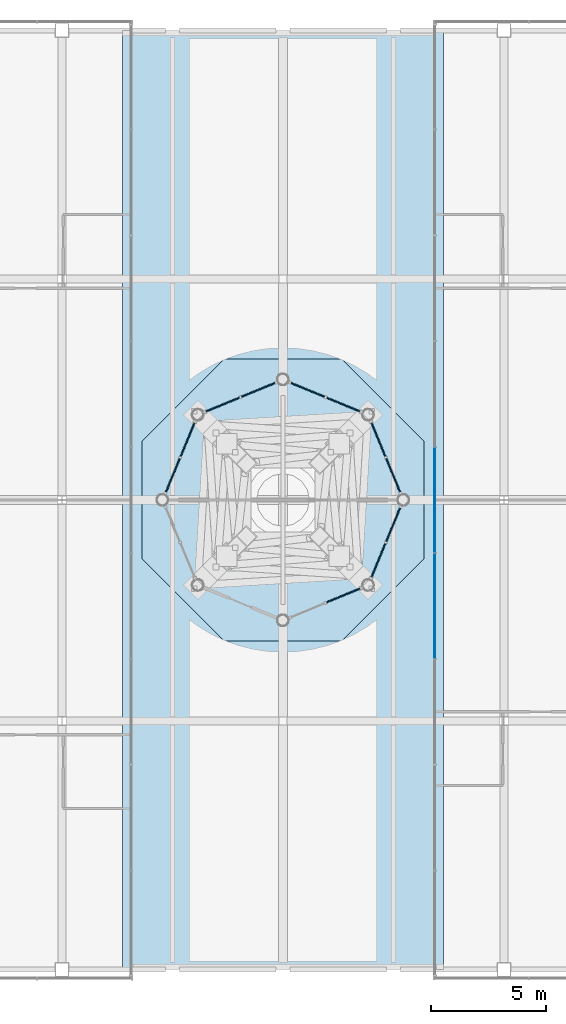
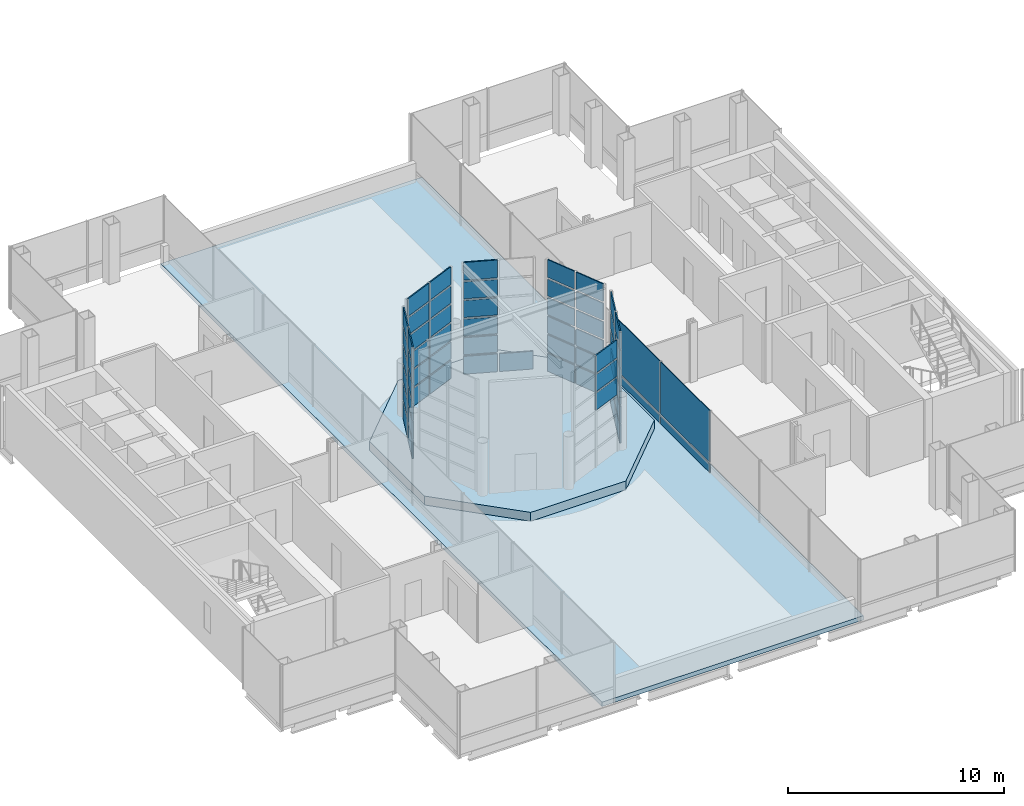
# One storey, part 23 of 32: 62 plates, 2 slabs, 7 elements without a shape of their own.
"""IFC4 building model written with IfcOpenShell, lengths in metres."""

from ifc_helpers import new_model, si_unit, direction, frame, origin, origin_2d, place, context, subcontext, project, spatial, polyline, rectangle, outline, extrude, material, layer, layer_set, type_object, element, aggregate, save


model = new_model("IFC4")

# Units and contexts
model_context = context("Model", 3, precision=1e-05, world=origin(), true_north=direction((0.0, 1.0)))
body_context = subcontext(model_context, "Body", "Model", "MODEL_VIEW")
ifc_project = project(units=[si_unit("LENGTHUNIT", "METRE"), si_unit("AREAUNIT", "SQUARE_METRE"), si_unit("VOLUMEUNIT", "CUBIC_METRE"), si_unit("PLANEANGLEUNIT", "RADIAN"), si_unit("MASSUNIT", "GRAM", prefix="KILO")], contexts=[model_context])

# Site, building, storey
site_placement = place(None, origin())
site = spatial("IfcSite", under=ifc_project, at=site_placement, CompositionType="ELEMENT")
building_placement = place(site_placement, origin())
building = spatial("IfcBuilding", under=site, at=building_placement, Name="Cobrizo Arcos Hotel Tower", CompositionType="ELEMENT")
storey_placement = place(building_placement, frame((0.0, 0.0, 265.5)))
storey = spatial("IfcBuildingStorey", under=building, at=storey_placement, Name="L70", CompositionType="ELEMENT", Elevation=265.5)

# Curtain wall, plates
ifc_material_1 = material(Name="Aluminium 6063-T6 anodised bronze", Category="aluminium")
curtain_wall_type_1 = type_object("IfcCurtainWallType", Name="CW-C arch infill and crown glazing", PredefinedType="NOTDEFINED", material=ifc_material_1)
curtain_wall_1_placement = place(storey_placement, origin())
curtain_wall_1 = element("IfcCurtainWall", 1, at=curtain_wall_1_placement, inside=storey, type_object=curtain_wall_type_1, Name="CW-C L70 W face", PredefinedType="NOTDEFINED")
ifc_material_2 = material(Name="Glass clear laminated low-e", Category="glass")
ifc_layer_1 = layer(ifc_material_2, 0.0400390625)
ifc_layer_set_1 = layer_set([ifc_layer_1], Name="CW-C glass panel")
plate_type_1 = type_object("IfcPlateType", Name="CW-C glass panel", PredefinedType="CURTAIN_PANEL", material=ifc_layer_set_1)
plate_1_placement = place(storey_placement, frame((6.59912109375, 0.0, 0.0), z_axis=(0.0, 0.0, 1.0), x_axis=(0.0, -1.0, 0.0)))
plate_1 = element("IfcPlate", 2, at=plate_1_placement, type_object=plate_type_1, Name="CW-C glass panel 2186", PredefinedType="CURTAIN_PANEL", context=body_context, shape_type="SweptSolid", body=[
    extrude(rectangle(XDim=4.530029296875, YDim=0.0400390625, at=origin_2d()), origin(), (0.0, 0.0, 1.0), 0.429931640625),
])
plate_2_placement = place(storey_placement, frame((6.59912109375, 0.0, 0.56982421875), z_axis=(0.0, 0.0, 1.0), x_axis=(0.0, -1.0, 0.0)))
plate_2 = element("IfcPlate", 3, at=plate_2_placement, type_object=plate_type_1, Name="CW-C glass panel 2186", PredefinedType="CURTAIN_PANEL", context=body_context, shape_type="SweptSolid", body=[
    extrude(rectangle(XDim=4.530029296875, YDim=0.0400390625, at=origin_2d()), origin(), (0.0, 0.0, 1.0), 2.929931640625),
])
plate_3_placement = place(storey_placement, frame((6.59912109375, -4.60009765625, 0.0), z_axis=(0.0, 0.0, 1.0), x_axis=(0.0, -1.0, 0.0)))
plate_3 = element("IfcPlate", 4, at=plate_3_placement, type_object=plate_type_1, Name="CW-C glass panel 2187", PredefinedType="CURTAIN_PANEL", context=body_context, shape_type="SweptSolid", body=[
    extrude(rectangle(XDim=4.530029296875, YDim=0.0400390625, at=origin_2d()), origin(), (0.0, 0.0, 1.0), 0.429931640625),
])
plate_4_placement = place(storey_placement, frame((6.59912109375, -4.60009765625, 0.56982421875), z_axis=(0.0, 0.0, 1.0), x_axis=(0.0, -1.0, 0.0)))
plate_4 = element("IfcPlate", 5, at=plate_4_placement, type_object=plate_type_1, Name="CW-C glass panel 2187", PredefinedType="CURTAIN_PANEL", context=body_context, shape_type="SweptSolid", body=[
    extrude(rectangle(XDim=4.530029296875, YDim=0.0400390625, at=origin_2d()), origin(), (0.0, 0.0, 1.0), 2.929931640625),
])
aggregate(curtain_wall_1, [plate_1, plate_2, plate_3, plate_4])

curtain_wall_type_2 = type_object("IfcCurtainWallType", Name="CW-D plant louvre wall", PredefinedType="NOTDEFINED", material=ifc_material_1)
curtain_wall_2_placement = place(storey_placement, origin())
curtain_wall_2 = element("IfcCurtainWall", 6, at=curtain_wall_2_placement, inside=storey, type_object=curtain_wall_type_2, Name="CW-D drum louvre wall 1", PredefinedType="NOTDEFINED")
ifc_material_3 = material(Name="Aluminium composite panel pale metal", Category="aluminium")
ifc_layer_2 = layer(ifc_material_3, 0.06005859375)
ifc_layer_set_2 = layer_set([ifc_layer_2], Name="CW-D spandrel panel")
plate_type_2 = type_object("IfcPlateType", Name="CW-D spandrel panel", PredefinedType="CURTAIN_PANEL", material=ifc_layer_set_2)
plate_5_placement = place(storey_placement, frame((4.785400390625, 1.079345703125, 0.5), z_axis=(0.0, 0.0, 1.0), x_axis=(-0.382683432365, 0.923879532511, 0.0)))
plate_5 = element("IfcPlate", 7, at=plate_5_placement, type_object=plate_type_2, Name="CW-D louvre panel 1-0", PredefinedType="CURTAIN_PANEL", context=body_context, shape_type="SweptSolid", body=[
    extrude(rectangle(XDim=1.568359375, YDim=0.06005859375, at=origin_2d()), origin(), (0.0, 0.0, 1.0), 1.0),
])
plate_6_placement = place(storey_placement, frame((4.785400390625, 1.079345703125, 1.60009765625), z_axis=(0.0, 0.0, 1.0), x_axis=(-0.382683432365, 0.923879532511, 0.0)))
plate_6 = element("IfcPlate", 8, at=plate_6_placement, type_object=plate_type_2, Name="CW-D louvre panel 1-1", PredefinedType="CURTAIN_PANEL", context=body_context, shape_type="SweptSolid", body=[
    extrude(rectangle(XDim=1.568359375, YDim=0.06005859375, at=origin_2d()), origin(), (0.0, 0.0, 1.0), 0.949951171875),
])
plate_7_placement = place(storey_placement, frame((4.785400390625, 1.079345703125, 2.64990234375), z_axis=(0.0, 0.0, 1.0), x_axis=(-0.382683432365, 0.923879532511, 0.0)))
plate_7 = element("IfcPlate", 9, at=plate_7_placement, type_object=plate_type_2, Name="CW-D louvre panel 1-2", PredefinedType="CURTAIN_PANEL", context=body_context, shape_type="SweptSolid", body=[
    extrude(rectangle(XDim=1.568359375, YDim=0.06005859375, at=origin_2d()), origin(), (0.0, 0.0, 1.0), 0.949951171875),
])
plate_8_placement = place(storey_placement, frame((4.785400390625, 1.079345703125, 3.7001953125), z_axis=(0.0, 0.0, 1.0), x_axis=(-0.382683432365, 0.923879532511, 0.0)))
plate_8 = element("IfcPlate", 10, at=plate_8_placement, type_object=plate_type_2, Name="CW-D louvre panel 1-3", PredefinedType="CURTAIN_PANEL", context=body_context, shape_type="SweptSolid", body=[
    extrude(rectangle(XDim=1.568359375, YDim=0.06005859375, at=origin_2d()), origin(), (0.0, 0.0, 1.0), 0.949951171875),
])
plate_9_placement = place(storey_placement, frame((4.785400390625, 1.079345703125, 4.75), z_axis=(0.0, 0.0, 1.0), x_axis=(-0.382683432365, 0.923879532511, 0.0)))
plate_9 = element("IfcPlate", 11, at=plate_9_placement, type_object=plate_type_2, Name="CW-D louvre panel 1-4", PredefinedType="CURTAIN_PANEL", context=body_context, shape_type="SweptSolid", body=[
    extrude(rectangle(XDim=1.568359375, YDim=0.06005859375, at=origin_2d()), origin(), (0.0, 0.0, 1.0), 0.949951171875),
])
plate_10_placement = place(storey_placement, frame((4.785400390625, 1.079345703125, 5.800048828125), z_axis=(0.0, 0.0, 1.0), x_axis=(-0.382683432365, 0.923879532511, 0.0)))
plate_10 = element("IfcPlate", 12, at=plate_10_placement, type_object=plate_type_2, Name="CW-D louvre panel 1-5", PredefinedType="CURTAIN_PANEL", context=body_context, shape_type="SweptSolid", body=[
    extrude(rectangle(XDim=1.568359375, YDim=0.06005859375, at=origin_2d()), origin(), (0.0, 0.0, 1.0), 1.0),
])
plate_11_placement = place(storey_placement, frame((4.147216796875, 2.62060546875, 0.5), z_axis=(0.0, 0.0, 1.0), x_axis=(-0.382683432365, 0.923879532511, 0.0)))
plate_11 = element("IfcPlate", 13, at=plate_11_placement, type_object=plate_type_2, Name="CW-D louvre panel 2-0", PredefinedType="CURTAIN_PANEL", context=body_context, shape_type="SweptSolid", body=[
    extrude(rectangle(XDim=1.568359375, YDim=0.06005859375, at=origin_2d()), origin(), (0.0, 0.0, 1.0), 1.0),
])
plate_12_placement = place(storey_placement, frame((4.147216796875, 2.62060546875, 1.60009765625), z_axis=(0.0, 0.0, 1.0), x_axis=(-0.382683432365, 0.923879532511, 0.0)))
plate_12 = element("IfcPlate", 14, at=plate_12_placement, type_object=plate_type_2, Name="CW-D louvre panel 2-1", PredefinedType="CURTAIN_PANEL", context=body_context, shape_type="SweptSolid", body=[
    extrude(rectangle(XDim=1.568359375, YDim=0.06005859375, at=origin_2d()), origin(), (0.0, 0.0, 1.0), 0.949951171875),
])
plate_13_placement = place(storey_placement, frame((4.147216796875, 2.62060546875, 2.64990234375), z_axis=(0.0, 0.0, 1.0), x_axis=(-0.382683432365, 0.923879532511, 0.0)))
plate_13 = element("IfcPlate", 15, at=plate_13_placement, type_object=plate_type_2, Name="CW-D louvre panel 2-2", PredefinedType="CURTAIN_PANEL", context=body_context, shape_type="SweptSolid", body=[
    extrude(rectangle(XDim=1.568359375, YDim=0.06005859375, at=origin_2d()), origin(), (0.0, 0.0, 1.0), 0.949951171875),
])
plate_14_placement = place(storey_placement, frame((4.147216796875, 2.62060546875, 3.7001953125), z_axis=(0.0, 0.0, 1.0), x_axis=(-0.382683432365, 0.923879532511, 0.0)))
plate_14 = element("IfcPlate", 16, at=plate_14_placement, type_object=plate_type_2, Name="CW-D louvre panel 2-3", PredefinedType="CURTAIN_PANEL", context=body_context, shape_type="SweptSolid", body=[
    extrude(rectangle(XDim=1.568359375, YDim=0.06005859375, at=origin_2d()), origin(), (0.0, 0.0, 1.0), 0.949951171875),
])
plate_15_placement = place(storey_placement, frame((4.147216796875, 2.62060546875, 4.75), z_axis=(0.0, 0.0, 1.0), x_axis=(-0.382683432365, 0.923879532511, 0.0)))
plate_15 = element("IfcPlate", 17, at=plate_15_placement, type_object=plate_type_2, Name="CW-D louvre panel 2-4", PredefinedType="CURTAIN_PANEL", context=body_context, shape_type="SweptSolid", body=[
    extrude(rectangle(XDim=1.568359375, YDim=0.06005859375, at=origin_2d()), origin(), (0.0, 0.0, 1.0), 0.949951171875),
])
plate_16_placement = place(storey_placement, frame((4.147216796875, 2.62060546875, 5.800048828125), z_axis=(0.0, 0.0, 1.0), x_axis=(-0.382683432365, 0.923879532511, 0.0)))
plate_16 = element("IfcPlate", 18, at=plate_16_placement, type_object=plate_type_2, Name="CW-D louvre panel 2-5", PredefinedType="CURTAIN_PANEL", context=body_context, shape_type="SweptSolid", body=[
    extrude(rectangle(XDim=1.568359375, YDim=0.06005859375, at=origin_2d()), origin(), (0.0, 0.0, 1.0), 1.0),
])
aggregate(curtain_wall_2, [plate_5, plate_6, plate_7, plate_8, plate_9, plate_10, plate_11, plate_12, plate_13, plate_14, plate_15, plate_16])

curtain_wall_3_placement = place(storey_placement, origin())
curtain_wall_3 = element("IfcCurtainWall", 19, at=curtain_wall_3_placement, inside=storey, type_object=curtain_wall_type_2, Name="CW-D drum louvre wall 2", PredefinedType="NOTDEFINED")
plate_17_placement = place(storey_placement, frame((2.62060546875, 4.147216796875, 0.5), z_axis=(0.0, 0.0, 1.0), x_axis=(-0.923879532511, 0.382683432365, 0.0)))
plate_17 = element("IfcPlate", 20, at=plate_17_placement, type_object=plate_type_2, Name="CW-D louvre panel 1-0", PredefinedType="CURTAIN_PANEL", context=body_context, shape_type="SweptSolid", body=[
    extrude(rectangle(XDim=1.568359375, YDim=0.06005859375, at=origin_2d()), origin(), (0.0, 0.0, 1.0), 1.0),
])
plate_18_placement = place(storey_placement, frame((1.079345703125, 4.785400390625, 0.5), z_axis=(0.0, 0.0, 1.0), x_axis=(-0.923879532511, 0.382683432365, 0.0)))
plate_18 = element("IfcPlate", 21, at=plate_18_placement, type_object=plate_type_2, Name="CW-D louvre panel 2-0", PredefinedType="CURTAIN_PANEL", context=body_context, shape_type="SweptSolid", body=[
    extrude(rectangle(XDim=1.568359375, YDim=0.06005859375, at=origin_2d()), origin(), (0.0, 0.0, 1.0), 1.0),
])
plate_19_placement = place(storey_placement, frame((1.079345703125, 4.785400390625, 1.60009765625), z_axis=(0.0, 0.0, 1.0), x_axis=(-0.923879532511, 0.382683432365, 0.0)))
plate_19 = element("IfcPlate", 22, at=plate_19_placement, type_object=plate_type_2, Name="CW-D louvre panel 2-1", PredefinedType="CURTAIN_PANEL", context=body_context, shape_type="SweptSolid", body=[
    extrude(rectangle(XDim=1.568359375, YDim=0.06005859375, at=origin_2d()), origin(), (0.0, 0.0, 1.0), 0.949951171875),
])
plate_20_placement = place(storey_placement, frame((1.079345703125, 4.785400390625, 2.64990234375), z_axis=(0.0, 0.0, 1.0), x_axis=(-0.923879532511, 0.382683432365, 0.0)))
plate_20 = element("IfcPlate", 23, at=plate_20_placement, type_object=plate_type_2, Name="CW-D louvre panel 2-2", PredefinedType="CURTAIN_PANEL", context=body_context, shape_type="SweptSolid", body=[
    extrude(rectangle(XDim=1.568359375, YDim=0.06005859375, at=origin_2d()), origin(), (0.0, 0.0, 1.0), 0.949951171875),
])
plate_21_placement = place(storey_placement, frame((1.079345703125, 4.785400390625, 3.7001953125), z_axis=(0.0, 0.0, 1.0), x_axis=(-0.923879532511, 0.382683432365, 0.0)))
plate_21 = element("IfcPlate", 24, at=plate_21_placement, type_object=plate_type_2, Name="CW-D louvre panel 2-3", PredefinedType="CURTAIN_PANEL", context=body_context, shape_type="SweptSolid", body=[
    extrude(rectangle(XDim=1.568359375, YDim=0.06005859375, at=origin_2d()), origin(), (0.0, 0.0, 1.0), 0.949951171875),
])
plate_22_placement = place(storey_placement, frame((1.079345703125, 4.785400390625, 4.75), z_axis=(0.0, 0.0, 1.0), x_axis=(-0.923879532511, 0.382683432365, 0.0)))
plate_22 = element("IfcPlate", 25, at=plate_22_placement, type_object=plate_type_2, Name="CW-D louvre panel 2-4", PredefinedType="CURTAIN_PANEL", context=body_context, shape_type="SweptSolid", body=[
    extrude(rectangle(XDim=1.568359375, YDim=0.06005859375, at=origin_2d()), origin(), (0.0, 0.0, 1.0), 0.949951171875),
])
plate_23_placement = place(storey_placement, frame((1.079345703125, 4.785400390625, 5.800048828125), z_axis=(0.0, 0.0, 1.0), x_axis=(-0.923879532511, 0.382683432365, 0.0)))
plate_23 = element("IfcPlate", 26, at=plate_23_placement, type_object=plate_type_2, Name="CW-D louvre panel 2-5", PredefinedType="CURTAIN_PANEL", context=body_context, shape_type="SweptSolid", body=[
    extrude(rectangle(XDim=1.568359375, YDim=0.06005859375, at=origin_2d()), origin(), (0.0, 0.0, 1.0), 1.0),
])
aggregate(curtain_wall_3, [plate_17, plate_18, plate_19, plate_20, plate_21, plate_22, plate_23])

curtain_wall_4_placement = place(storey_placement, origin())
curtain_wall_4 = element("IfcCurtainWall", 27, at=curtain_wall_4_placement, inside=storey, type_object=curtain_wall_type_2, Name="CW-D drum louvre wall 3", PredefinedType="NOTDEFINED")
plate_24_placement = place(storey_placement, frame((-1.079345703125, 4.785400390625, 0.5), z_axis=(0.0, 0.0, 1.0), x_axis=(-0.923879532511, -0.382683432365, 0.0)))
plate_24 = element("IfcPlate", 28, at=plate_24_placement, type_object=plate_type_2, Name="CW-D louvre panel 1-0", PredefinedType="CURTAIN_PANEL", context=body_context, shape_type="SweptSolid", body=[
    extrude(rectangle(XDim=1.568359375, YDim=0.06005859375, at=origin_2d()), origin(), (0.0, 0.0, 1.0), 1.0),
])
plate_25_placement = place(storey_placement, frame((-1.079345703125, 4.785400390625, 1.60009765625), z_axis=(0.0, 0.0, 1.0), x_axis=(-0.923879532511, -0.382683432365, 0.0)))
plate_25 = element("IfcPlate", 29, at=plate_25_placement, type_object=plate_type_2, Name="CW-D louvre panel 1-1", PredefinedType="CURTAIN_PANEL", context=body_context, shape_type="SweptSolid", body=[
    extrude(rectangle(XDim=1.568359375, YDim=0.06005859375, at=origin_2d()), origin(), (0.0, 0.0, 1.0), 0.949951171875),
])
plate_26_placement = place(storey_placement, frame((-1.079345703125, 4.785400390625, 2.64990234375), z_axis=(0.0, 0.0, 1.0), x_axis=(-0.923879532511, -0.382683432365, 0.0)))
plate_26 = element("IfcPlate", 30, at=plate_26_placement, type_object=plate_type_2, Name="CW-D louvre panel 1-2", PredefinedType="CURTAIN_PANEL", context=body_context, shape_type="SweptSolid", body=[
    extrude(rectangle(XDim=1.568359375, YDim=0.06005859375, at=origin_2d()), origin(), (0.0, 0.0, 1.0), 0.949951171875),
])
plate_27_placement = place(storey_placement, frame((-1.079345703125, 4.785400390625, 3.7001953125), z_axis=(0.0, 0.0, 1.0), x_axis=(-0.923879532511, -0.382683432365, 0.0)))
plate_27 = element("IfcPlate", 31, at=plate_27_placement, type_object=plate_type_2, Name="CW-D louvre panel 1-3", PredefinedType="CURTAIN_PANEL", context=body_context, shape_type="SweptSolid", body=[
    extrude(rectangle(XDim=1.568359375, YDim=0.06005859375, at=origin_2d()), origin(), (0.0, 0.0, 1.0), 0.949951171875),
])
plate_28_placement = place(storey_placement, frame((-1.079345703125, 4.785400390625, 4.75), z_axis=(0.0, 0.0, 1.0), x_axis=(-0.923879532511, -0.382683432365, 0.0)))
plate_28 = element("IfcPlate", 32, at=plate_28_placement, type_object=plate_type_2, Name="CW-D louvre panel 1-4", PredefinedType="CURTAIN_PANEL", context=body_context, shape_type="SweptSolid", body=[
    extrude(rectangle(XDim=1.568359375, YDim=0.06005859375, at=origin_2d()), origin(), (0.0, 0.0, 1.0), 0.949951171875),
])
plate_29_placement = place(storey_placement, frame((-1.079345703125, 4.785400390625, 5.800048828125), z_axis=(0.0, 0.0, 1.0), x_axis=(-0.923879532511, -0.382683432365, 0.0)))
plate_29 = element("IfcPlate", 33, at=plate_29_placement, type_object=plate_type_2, Name="CW-D louvre panel 1-5", PredefinedType="CURTAIN_PANEL", context=body_context, shape_type="SweptSolid", body=[
    extrude(rectangle(XDim=1.568359375, YDim=0.06005859375, at=origin_2d()), origin(), (0.0, 0.0, 1.0), 1.0),
])
plate_30_placement = place(storey_placement, frame((-2.62060546875, 4.147216796875, 0.5), z_axis=(0.0, 0.0, 1.0), x_axis=(-0.923879532511, -0.382683432365, 0.0)))
plate_30 = element("IfcPlate", 34, at=plate_30_placement, type_object=plate_type_2, Name="CW-D louvre panel 2-0", PredefinedType="CURTAIN_PANEL", context=body_context, shape_type="SweptSolid", body=[
    extrude(rectangle(XDim=1.568359375, YDim=0.06005859375, at=origin_2d()), origin(), (0.0, 0.0, 1.0), 1.0),
])
plate_31_placement = place(storey_placement, frame((-2.62060546875, 4.147216796875, 1.60009765625), z_axis=(0.0, 0.0, 1.0), x_axis=(-0.923879532511, -0.382683432365, 0.0)))
plate_31 = element("IfcPlate", 35, at=plate_31_placement, type_object=plate_type_2, Name="CW-D louvre panel 2-1", PredefinedType="CURTAIN_PANEL", context=body_context, shape_type="SweptSolid", body=[
    extrude(rectangle(XDim=1.568359375, YDim=0.06005859375, at=origin_2d()), origin(), (0.0, 0.0, 1.0), 0.949951171875),
])
plate_32_placement = place(storey_placement, frame((-2.62060546875, 4.147216796875, 2.64990234375), z_axis=(0.0, 0.0, 1.0), x_axis=(-0.923879532511, -0.382683432365, 0.0)))
plate_32 = element("IfcPlate", 36, at=plate_32_placement, type_object=plate_type_2, Name="CW-D louvre panel 2-2", PredefinedType="CURTAIN_PANEL", context=body_context, shape_type="SweptSolid", body=[
    extrude(rectangle(XDim=1.568359375, YDim=0.06005859375, at=origin_2d()), origin(), (0.0, 0.0, 1.0), 0.949951171875),
])
plate_33_placement = place(storey_placement, frame((-2.62060546875, 4.147216796875, 3.7001953125), z_axis=(0.0, 0.0, 1.0), x_axis=(-0.923879532511, -0.382683432365, 0.0)))
plate_33 = element("IfcPlate", 37, at=plate_33_placement, type_object=plate_type_2, Name="CW-D louvre panel 2-3", PredefinedType="CURTAIN_PANEL", context=body_context, shape_type="SweptSolid", body=[
    extrude(rectangle(XDim=1.568359375, YDim=0.06005859375, at=origin_2d()), origin(), (0.0, 0.0, 1.0), 0.949951171875),
])
plate_34_placement = place(storey_placement, frame((-2.62060546875, 4.147216796875, 4.75), z_axis=(0.0, 0.0, 1.0), x_axis=(-0.923879532511, -0.382683432365, 0.0)))
plate_34 = element("IfcPlate", 38, at=plate_34_placement, type_object=plate_type_2, Name="CW-D louvre panel 2-4", PredefinedType="CURTAIN_PANEL", context=body_context, shape_type="SweptSolid", body=[
    extrude(rectangle(XDim=1.568359375, YDim=0.06005859375, at=origin_2d()), origin(), (0.0, 0.0, 1.0), 0.949951171875),
])
plate_35_placement = place(storey_placement, frame((-2.62060546875, 4.147216796875, 5.800048828125), z_axis=(0.0, 0.0, 1.0), x_axis=(-0.923879532511, -0.382683432365, 0.0)))
plate_35 = element("IfcPlate", 39, at=plate_35_placement, type_object=plate_type_2, Name="CW-D louvre panel 2-5", PredefinedType="CURTAIN_PANEL", context=body_context, shape_type="SweptSolid", body=[
    extrude(rectangle(XDim=1.568359375, YDim=0.06005859375, at=origin_2d()), origin(), (0.0, 0.0, 1.0), 1.0),
])
aggregate(curtain_wall_4, [plate_24, plate_25, plate_26, plate_27, plate_28, plate_29, plate_30, plate_31, plate_32, plate_33, plate_34, plate_35])

curtain_wall_5_placement = place(storey_placement, origin())
curtain_wall_5 = element("IfcCurtainWall", 40, at=curtain_wall_5_placement, inside=storey, type_object=curtain_wall_type_2, Name="CW-D drum louvre wall 4", PredefinedType="NOTDEFINED")
plate_36_placement = place(storey_placement, frame((-4.147216796875, 2.62060546875, 0.5), z_axis=(0.0, 0.0, 1.0), x_axis=(-0.382683432365, -0.923879532511, 0.0)))
plate_36 = element("IfcPlate", 41, at=plate_36_placement, type_object=plate_type_2, Name="CW-D louvre panel 1-0", PredefinedType="CURTAIN_PANEL", context=body_context, shape_type="SweptSolid", body=[
    extrude(rectangle(XDim=1.568359375, YDim=0.06005859375, at=origin_2d()), origin(), (0.0, 0.0, 1.0), 1.0),
])
plate_37_placement = place(storey_placement, frame((-4.147216796875, 2.62060546875, 1.60009765625), z_axis=(0.0, 0.0, 1.0), x_axis=(-0.382683432365, -0.923879532511, 0.0)))
plate_37 = element("IfcPlate", 42, at=plate_37_placement, type_object=plate_type_2, Name="CW-D louvre panel 1-1", PredefinedType="CURTAIN_PANEL", context=body_context, shape_type="SweptSolid", body=[
    extrude(rectangle(XDim=1.568359375, YDim=0.06005859375, at=origin_2d()), origin(), (0.0, 0.0, 1.0), 0.949951171875),
])
plate_38_placement = place(storey_placement, frame((-4.147216796875, 2.62060546875, 2.64990234375), z_axis=(0.0, 0.0, 1.0), x_axis=(-0.382683432365, -0.923879532511, 0.0)))
plate_38 = element("IfcPlate", 43, at=plate_38_placement, type_object=plate_type_2, Name="CW-D louvre panel 1-2", PredefinedType="CURTAIN_PANEL", context=body_context, shape_type="SweptSolid", body=[
    extrude(rectangle(XDim=1.568359375, YDim=0.06005859375, at=origin_2d()), origin(), (0.0, 0.0, 1.0), 0.949951171875),
])
plate_39_placement = place(storey_placement, frame((-4.147216796875, 2.62060546875, 3.7001953125), z_axis=(0.0, 0.0, 1.0), x_axis=(-0.382683432365, -0.923879532511, 0.0)))
plate_39 = element("IfcPlate", 44, at=plate_39_placement, type_object=plate_type_2, Name="CW-D louvre panel 1-3", PredefinedType="CURTAIN_PANEL", context=body_context, shape_type="SweptSolid", body=[
    extrude(rectangle(XDim=1.568359375, YDim=0.06005859375, at=origin_2d()), origin(), (0.0, 0.0, 1.0), 0.949951171875),
])
plate_40_placement = place(storey_placement, frame((-4.147216796875, 2.62060546875, 4.75), z_axis=(0.0, 0.0, 1.0), x_axis=(-0.382683432365, -0.923879532511, 0.0)))
plate_40 = element("IfcPlate", 45, at=plate_40_placement, type_object=plate_type_2, Name="CW-D louvre panel 1-4", PredefinedType="CURTAIN_PANEL", context=body_context, shape_type="SweptSolid", body=[
    extrude(rectangle(XDim=1.568359375, YDim=0.06005859375, at=origin_2d()), origin(), (0.0, 0.0, 1.0), 0.949951171875),
])
plate_41_placement = place(storey_placement, frame((-4.147216796875, 2.62060546875, 5.800048828125), z_axis=(0.0, 0.0, 1.0), x_axis=(-0.382683432365, -0.923879532511, 0.0)))
plate_41 = element("IfcPlate", 46, at=plate_41_placement, type_object=plate_type_2, Name="CW-D louvre panel 1-5", PredefinedType="CURTAIN_PANEL", context=body_context, shape_type="SweptSolid", body=[
    extrude(rectangle(XDim=1.568359375, YDim=0.06005859375, at=origin_2d()), origin(), (0.0, 0.0, 1.0), 1.0),
])
plate_42_placement = place(storey_placement, frame((-4.785400390625, 1.079345703125, 0.5), z_axis=(0.0, 0.0, 1.0), x_axis=(-0.382683432365, -0.923879532511, 0.0)))
plate_42 = element("IfcPlate", 47, at=plate_42_placement, type_object=plate_type_2, Name="CW-D louvre panel 2-0", PredefinedType="CURTAIN_PANEL", context=body_context, shape_type="SweptSolid", body=[
    extrude(rectangle(XDim=1.568359375, YDim=0.06005859375, at=origin_2d()), origin(), (0.0, 0.0, 1.0), 1.0),
])
plate_43_placement = place(storey_placement, frame((-4.785400390625, 1.079345703125, 1.60009765625), z_axis=(0.0, 0.0, 1.0), x_axis=(-0.382683432365, -0.923879532511, 0.0)))
plate_43 = element("IfcPlate", 48, at=plate_43_placement, type_object=plate_type_2, Name="CW-D louvre panel 2-1", PredefinedType="CURTAIN_PANEL", context=body_context, shape_type="SweptSolid", body=[
    extrude(rectangle(XDim=1.568359375, YDim=0.06005859375, at=origin_2d()), origin(), (0.0, 0.0, 1.0), 0.949951171875),
])
plate_44_placement = place(storey_placement, frame((-4.785400390625, 1.079345703125, 2.64990234375), z_axis=(0.0, 0.0, 1.0), x_axis=(-0.382683432365, -0.923879532511, 0.0)))
plate_44 = element("IfcPlate", 49, at=plate_44_placement, type_object=plate_type_2, Name="CW-D louvre panel 2-2", PredefinedType="CURTAIN_PANEL", context=body_context, shape_type="SweptSolid", body=[
    extrude(rectangle(XDim=1.568359375, YDim=0.06005859375, at=origin_2d()), origin(), (0.0, 0.0, 1.0), 0.949951171875),
])
plate_45_placement = place(storey_placement, frame((-4.785400390625, 1.079345703125, 3.7001953125), z_axis=(0.0, 0.0, 1.0), x_axis=(-0.382683432365, -0.923879532511, 0.0)))
plate_45 = element("IfcPlate", 50, at=plate_45_placement, type_object=plate_type_2, Name="CW-D louvre panel 2-3", PredefinedType="CURTAIN_PANEL", context=body_context, shape_type="SweptSolid", body=[
    extrude(rectangle(XDim=1.568359375, YDim=0.06005859375, at=origin_2d()), origin(), (0.0, 0.0, 1.0), 0.949951171875),
])
plate_46_placement = place(storey_placement, frame((-4.785400390625, 1.079345703125, 4.75), z_axis=(0.0, 0.0, 1.0), x_axis=(-0.382683432365, -0.923879532511, 0.0)))
plate_46 = element("IfcPlate", 51, at=plate_46_placement, type_object=plate_type_2, Name="CW-D louvre panel 2-4", PredefinedType="CURTAIN_PANEL", context=body_context, shape_type="SweptSolid", body=[
    extrude(rectangle(XDim=1.568359375, YDim=0.06005859375, at=origin_2d()), origin(), (0.0, 0.0, 1.0), 0.949951171875),
])
plate_47_placement = place(storey_placement, frame((-4.785400390625, 1.079345703125, 5.800048828125), z_axis=(0.0, 0.0, 1.0), x_axis=(-0.382683432365, -0.923879532511, 0.0)))
plate_47 = element("IfcPlate", 52, at=plate_47_placement, type_object=plate_type_2, Name="CW-D louvre panel 2-5", PredefinedType="CURTAIN_PANEL", context=body_context, shape_type="SweptSolid", body=[
    extrude(rectangle(XDim=1.568359375, YDim=0.06005859375, at=origin_2d()), origin(), (0.0, 0.0, 1.0), 1.0),
])
aggregate(curtain_wall_5, [plate_36, plate_37, plate_38, plate_39, plate_40, plate_41, plate_42, plate_43, plate_44, plate_45, plate_46, plate_47])

curtain_wall_6_placement = place(storey_placement, origin())
curtain_wall_6 = element("IfcCurtainWall", 53, at=curtain_wall_6_placement, inside=storey, type_object=curtain_wall_type_2, Name="CW-D drum louvre wall 7", PredefinedType="NOTDEFINED")
plate_48_placement = place(storey_placement, frame((2.62060546875, -4.147216796875, 3.7001953125), z_axis=(0.0, 0.0, 1.0), x_axis=(0.923879532511, 0.382683432365, 0.0)))
plate_48 = element("IfcPlate", 54, at=plate_48_placement, type_object=plate_type_2, Name="CW-D louvre panel 2-3", PredefinedType="CURTAIN_PANEL", context=body_context, shape_type="SweptSolid", body=[
    extrude(rectangle(XDim=1.568359375, YDim=0.06005859375, at=origin_2d()), origin(), (0.0, 0.0, 1.0), 0.949951171875),
])
plate_49_placement = place(storey_placement, frame((2.62060546875, -4.147216796875, 4.75), z_axis=(0.0, 0.0, 1.0), x_axis=(0.923879532511, 0.382683432365, 0.0)))
plate_49 = element("IfcPlate", 55, at=plate_49_placement, type_object=plate_type_2, Name="CW-D louvre panel 2-4", PredefinedType="CURTAIN_PANEL", context=body_context, shape_type="SweptSolid", body=[
    extrude(rectangle(XDim=1.568359375, YDim=0.06005859375, at=origin_2d()), origin(), (0.0, 0.0, 1.0), 0.949951171875),
])
plate_50_placement = place(storey_placement, frame((2.62060546875, -4.147216796875, 5.800048828125), z_axis=(0.0, 0.0, 1.0), x_axis=(0.923879532511, 0.382683432365, 0.0)))
plate_50 = element("IfcPlate", 56, at=plate_50_placement, type_object=plate_type_2, Name="CW-D louvre panel 2-5", PredefinedType="CURTAIN_PANEL", context=body_context, shape_type="SweptSolid", body=[
    extrude(rectangle(XDim=1.568359375, YDim=0.06005859375, at=origin_2d()), origin(), (0.0, 0.0, 1.0), 1.0),
])
aggregate(curtain_wall_6, [plate_48, plate_49, plate_50])

curtain_wall_7_placement = place(storey_placement, origin())
curtain_wall_7 = element("IfcCurtainWall", 57, at=curtain_wall_7_placement, inside=storey, type_object=curtain_wall_type_2, Name="CW-D drum louvre wall 8", PredefinedType="NOTDEFINED")
plate_51_placement = place(storey_placement, frame((4.147216796875, -2.62060546875, 0.5), z_axis=(0.0, 0.0, 1.0), x_axis=(0.382683432365, 0.923879532511, 0.0)))
plate_51 = element("IfcPlate", 58, at=plate_51_placement, type_object=plate_type_2, Name="CW-D louvre panel 1-0", PredefinedType="CURTAIN_PANEL", context=body_context, shape_type="SweptSolid", body=[
    extrude(rectangle(XDim=1.568359375, YDim=0.06005859375, at=origin_2d()), origin(), (0.0, 0.0, 1.0), 1.0),
])
plate_52_placement = place(storey_placement, frame((4.147216796875, -2.62060546875, 1.60009765625), z_axis=(0.0, 0.0, 1.0), x_axis=(0.382683432365, 0.923879532511, 0.0)))
plate_52 = element("IfcPlate", 59, at=plate_52_placement, type_object=plate_type_2, Name="CW-D louvre panel 1-1", PredefinedType="CURTAIN_PANEL", context=body_context, shape_type="SweptSolid", body=[
    extrude(rectangle(XDim=1.568359375, YDim=0.06005859375, at=origin_2d()), origin(), (0.0, 0.0, 1.0), 0.949951171875),
])
plate_53_placement = place(storey_placement, frame((4.147216796875, -2.62060546875, 2.64990234375), z_axis=(0.0, 0.0, 1.0), x_axis=(0.382683432365, 0.923879532511, 0.0)))
plate_53 = element("IfcPlate", 60, at=plate_53_placement, type_object=plate_type_2, Name="CW-D louvre panel 1-2", PredefinedType="CURTAIN_PANEL", context=body_context, shape_type="SweptSolid", body=[
    extrude(rectangle(XDim=1.568359375, YDim=0.06005859375, at=origin_2d()), origin(), (0.0, 0.0, 1.0), 0.949951171875),
])
plate_54_placement = place(storey_placement, frame((4.147216796875, -2.62060546875, 3.7001953125), z_axis=(0.0, 0.0, 1.0), x_axis=(0.382683432365, 0.923879532511, 0.0)))
plate_54 = element("IfcPlate", 61, at=plate_54_placement, type_object=plate_type_2, Name="CW-D louvre panel 1-3", PredefinedType="CURTAIN_PANEL", context=body_context, shape_type="SweptSolid", body=[
    extrude(rectangle(XDim=1.568359375, YDim=0.06005859375, at=origin_2d()), origin(), (0.0, 0.0, 1.0), 0.949951171875),
])
plate_55_placement = place(storey_placement, frame((4.147216796875, -2.62060546875, 4.75), z_axis=(0.0, 0.0, 1.0), x_axis=(0.382683432365, 0.923879532511, 0.0)))
plate_55 = element("IfcPlate", 62, at=plate_55_placement, type_object=plate_type_2, Name="CW-D louvre panel 1-4", PredefinedType="CURTAIN_PANEL", context=body_context, shape_type="SweptSolid", body=[
    extrude(rectangle(XDim=1.568359375, YDim=0.06005859375, at=origin_2d()), origin(), (0.0, 0.0, 1.0), 0.949951171875),
])
plate_56_placement = place(storey_placement, frame((4.147216796875, -2.62060546875, 5.800048828125), z_axis=(0.0, 0.0, 1.0), x_axis=(0.382683432365, 0.923879532511, 0.0)))
plate_56 = element("IfcPlate", 63, at=plate_56_placement, type_object=plate_type_2, Name="CW-D louvre panel 1-5", PredefinedType="CURTAIN_PANEL", context=body_context, shape_type="SweptSolid", body=[
    extrude(rectangle(XDim=1.568359375, YDim=0.06005859375, at=origin_2d()), origin(), (0.0, 0.0, 1.0), 1.0),
])
plate_57_placement = place(storey_placement, frame((4.785400390625, -1.079345703125, 0.5), z_axis=(0.0, 0.0, 1.0), x_axis=(0.382683432365, 0.923879532511, 0.0)))
plate_57 = element("IfcPlate", 64, at=plate_57_placement, type_object=plate_type_2, Name="CW-D louvre panel 2-0", PredefinedType="CURTAIN_PANEL", context=body_context, shape_type="SweptSolid", body=[
    extrude(rectangle(XDim=1.568359375, YDim=0.06005859375, at=origin_2d()), origin(), (0.0, 0.0, 1.0), 1.0),
])
plate_58_placement = place(storey_placement, frame((4.785400390625, -1.079345703125, 1.60009765625), z_axis=(0.0, 0.0, 1.0), x_axis=(0.382683432365, 0.923879532511, 0.0)))
plate_58 = element("IfcPlate", 65, at=plate_58_placement, type_object=plate_type_2, Name="CW-D louvre panel 2-1", PredefinedType="CURTAIN_PANEL", context=body_context, shape_type="SweptSolid", body=[
    extrude(rectangle(XDim=1.568359375, YDim=0.06005859375, at=origin_2d()), origin(), (0.0, 0.0, 1.0), 0.949951171875),
])
plate_59_placement = place(storey_placement, frame((4.785400390625, -1.079345703125, 2.64990234375), z_axis=(0.0, 0.0, 1.0), x_axis=(0.382683432365, 0.923879532511, 0.0)))
plate_59 = element("IfcPlate", 66, at=plate_59_placement, type_object=plate_type_2, Name="CW-D louvre panel 2-2", PredefinedType="CURTAIN_PANEL", context=body_context, shape_type="SweptSolid", body=[
    extrude(rectangle(XDim=1.568359375, YDim=0.06005859375, at=origin_2d()), origin(), (0.0, 0.0, 1.0), 0.949951171875),
])
plate_60_placement = place(storey_placement, frame((4.785400390625, -1.079345703125, 3.7001953125), z_axis=(0.0, 0.0, 1.0), x_axis=(0.382683432365, 0.923879532511, 0.0)))
plate_60 = element("IfcPlate", 67, at=plate_60_placement, type_object=plate_type_2, Name="CW-D louvre panel 2-3", PredefinedType="CURTAIN_PANEL", context=body_context, shape_type="SweptSolid", body=[
    extrude(rectangle(XDim=1.568359375, YDim=0.06005859375, at=origin_2d()), origin(), (0.0, 0.0, 1.0), 0.949951171875),
])
plate_61_placement = place(storey_placement, frame((4.785400390625, -1.079345703125, 4.75), z_axis=(0.0, 0.0, 1.0), x_axis=(0.382683432365, 0.923879532511, 0.0)))
plate_61 = element("IfcPlate", 68, at=plate_61_placement, type_object=plate_type_2, Name="CW-D louvre panel 2-4", PredefinedType="CURTAIN_PANEL", context=body_context, shape_type="SweptSolid", body=[
    extrude(rectangle(XDim=1.568359375, YDim=0.06005859375, at=origin_2d()), origin(), (0.0, 0.0, 1.0), 0.949951171875),
])
plate_62_placement = place(storey_placement, frame((4.785400390625, -1.079345703125, 5.800048828125), z_axis=(0.0, 0.0, 1.0), x_axis=(0.382683432365, 0.923879532511, 0.0)))
plate_62 = element("IfcPlate", 69, at=plate_62_placement, type_object=plate_type_2, Name="CW-D louvre panel 2-5", PredefinedType="CURTAIN_PANEL", context=body_context, shape_type="SweptSolid", body=[
    extrude(rectangle(XDim=1.568359375, YDim=0.06005859375, at=origin_2d()), origin(), (0.0, 0.0, 1.0), 1.0),
])
aggregate(curtain_wall_7, [plate_51, plate_52, plate_53, plate_54, plate_55, plate_56, plate_57, plate_58, plate_59, plate_60, plate_61, plate_62])

# Slabs
ifc_material_4 = material(Name="Concrete f'c 35 MPa", Category="concrete")
ifc_layer_3 = layer(ifc_material_4, 0.5)
ifc_layer_set_3 = layer_set([ifc_layer_3], Name="Plant floor slab 500 f'c 35")
slab_type_1 = type_object("IfcSlabType", Name="Plant floor slab 500 f'c 35", PredefinedType="FLOOR", material=ifc_layer_set_3)
slab_1_placement = place(storey_placement, origin())
element("IfcSlab", 70, at=slab_1_placement, inside=storey, type_object=slab_type_1, Name="Drum plant floor slab DF-1, no. 1", PredefinedType="FLOOR", context=body_context, shape_type="SweptSolid", body=[
    extrude(outline(polyline([(6.132568359375, 2.540283203125), (2.540283203125, 6.132568359375), (-2.540283203125, 6.132568359375), (-6.132568359375, 2.540283203125), (-6.132568359375, -2.540283203125), (-2.540283203125, -6.132568359375), (2.540283203125, -6.132568359375), (6.132568359375, -2.540283203125), (6.132568359375, 2.540283203125)])), origin(), (0.0, 0.0, 1.0), 0.5),
])
ifc_layer_4 = layer(ifc_material_4, 0.25)
ifc_layer_set_4 = layer_set([ifc_layer_4], Name="RC roof slab 250 f'c 35")
slab_type_2 = type_object("IfcSlabType", Name="RC roof slab 250 f'c 35", PredefinedType="ROOF", material=ifc_layer_set_4)
slab_2_placement = place(storey_placement, frame((0.0, 0.0, -0.25)))
element("IfcSlab", 71, at=slab_2_placement, inside=storey, type_object=slab_type_2, Name="Roof slab RS3, L70, no. 01", PredefinedType="ROOF", context=body_context, shape_type="SweptSolid", body=[
    extrude(outline(polyline([(6.97412109375, 20.39990234375), (6.97412109375, -20.39990234375), (-6.97412109375, -20.39990234375), (-6.97412109375, 20.39990234375), (6.97412109375, 20.39990234375)])), origin(), (0.0, 0.0, 1.0), 0.25),
])

save(model, "model.ifc")
